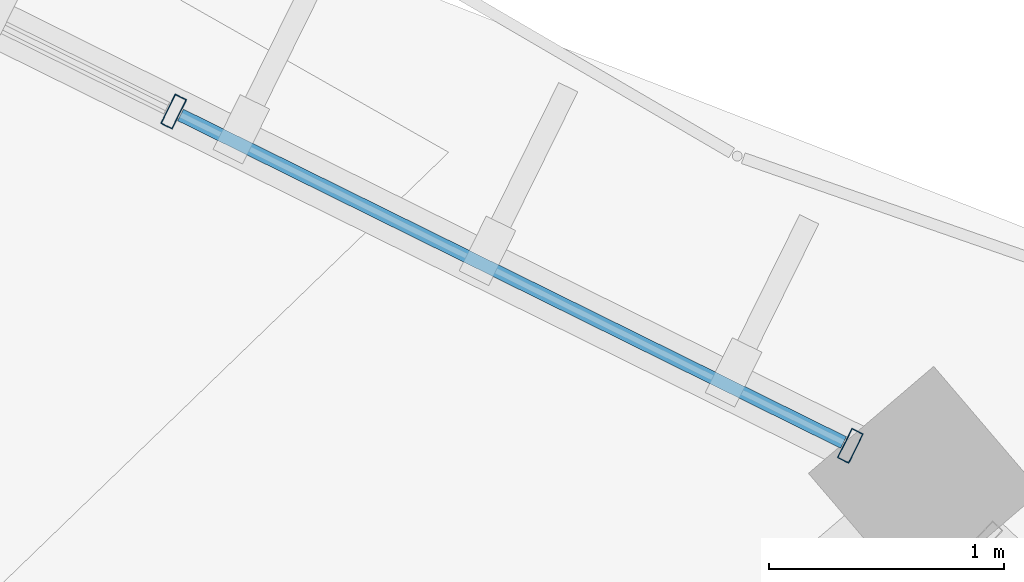
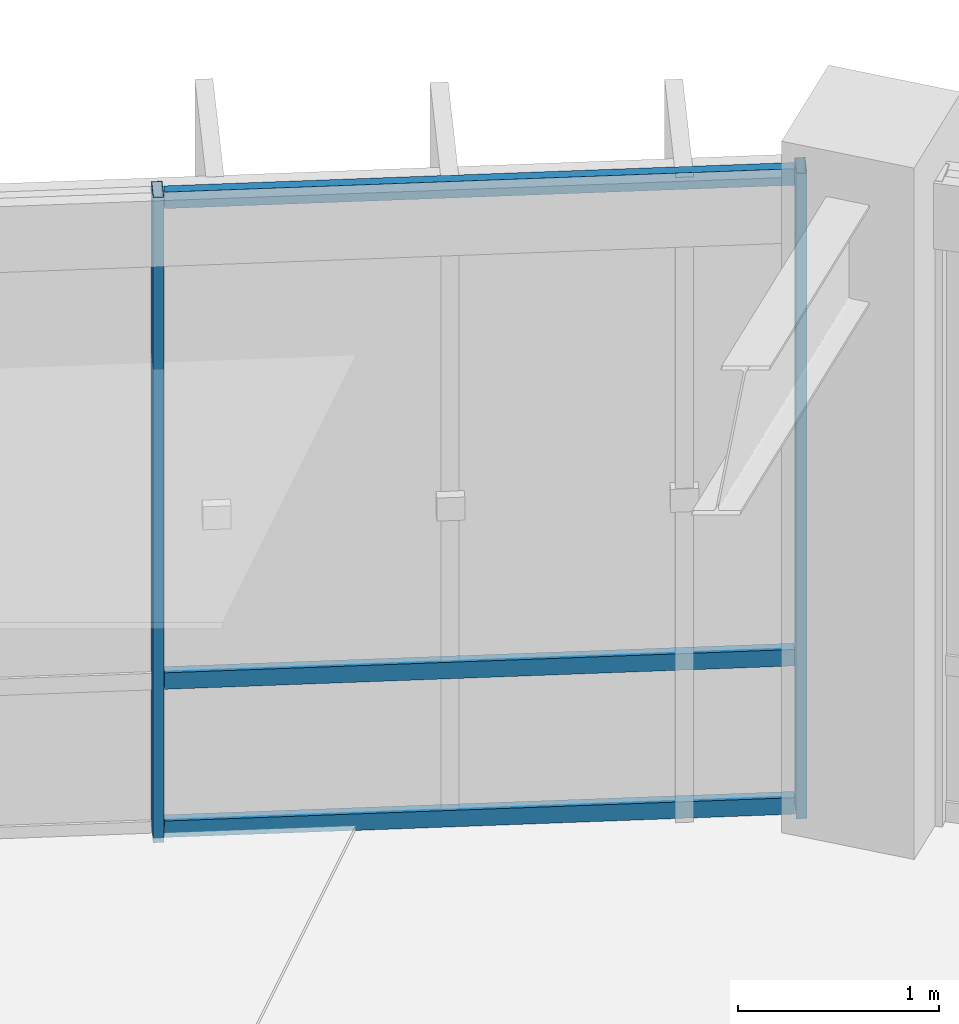
# One storey, part 71 of 138: 5 members, 1 element without a shape of its own.
"""IFC4 building model written with IfcOpenShell, lengths in metres."""

import ifcopenshell
import ifcopenshell.guid

model = None  # the IFC model being written
_history = None  # IfcOwnerHistory: only IFC2X3 demands one
_inside = {}  # id of a spatial element -> (the spatial element, [elements in it])
_under = {}  # id of a project, library or spatial element -> (it, [spatial elements below it])
_declared = {}  # id of a project -> (the project, [libraries it declares])
_typed = {}  # id of a type object -> (the type object, [elements of that type])
_made_of = {}  # id of a material, layer set ... -> (it, [elements and type objects made of it])


def new_model(schema):
    """Start an empty IFC model of exactly this schema.

    Asked for "IFC4X3", IfcOpenShell would pick the latest addendum, in which some entities
    have other attributes; the version numbers below select the first issue.
    IFC2X3 requires an IfcOwnerHistory on every rooted entity: one is made here for all.
    """
    global model, _history
    if schema == "IFC4X3":
        model = ifcopenshell.file(schema_version=(4, 3, 0, 0))
    else:
        model = ifcopenshell.file(schema=schema)
    _inside.clear()
    _under.clear()
    _declared.clear()
    _typed.clear()
    _made_of.clear()
    _history = None
    if model.schema == "IFC2X3":
        org = make("IfcOrganization", Name="unknown")
        user = make(
            "IfcPersonAndOrganization",
            ThePerson=make("IfcPerson", FamilyName="unknown"),
            TheOrganization=org,
        )
        app = make(
            "IfcApplication",
            ApplicationDeveloper=org,
            Version="unknown",
            ApplicationFullName="unknown",
            ApplicationIdentifier="unknown",
        )
        _history = make(
            "IfcOwnerHistory",
            OwningUser=user,
            OwningApplication=app,
            ChangeAction="ADDED",
            CreationDate=0,
        )
    return model


def make(cls, **values):
    """One entity of the class cls with the attributes given. An attribute that is None is left unset."""
    return model.create_entity(
        cls, **{name: value for name, value in values.items() if value is not None}
    )


def rooted(cls, **values):
    """An entity with a GlobalId (a new one), such as an element, a storey or a relation."""
    return make(cls, GlobalId=ifcopenshell.guid.new(), OwnerHistory=_history, **values)


def si_unit(unit_type, name, prefix=None):
    """IfcSIUnit, for example si_unit("LENGTHUNIT", "METRE", prefix="MILLI")."""
    return make("IfcSIUnit", UnitType=unit_type, Prefix=prefix, Name=name)


def assignment(units):
    """IfcUnitAssignment: the units of a project."""
    return None if units is None else make("IfcUnitAssignment", Units=units)


def point(xyz):
    """IfcCartesianPoint."""
    return None if xyz is None else make("IfcCartesianPoint", Coordinates=xyz)


def direction(xyz):
    """IfcDirection."""
    return None if xyz is None else make("IfcDirection", DirectionRatios=xyz)


def frame(location, z_axis=None, x_axis=None):
    """IfcAxis2Placement3D, a coordinate frame: its origin and axes. An axis left out is left unset."""
    return make(
        "IfcAxis2Placement3D",
        Location=point(location),
        Axis=direction(z_axis),
        RefDirection=direction(x_axis),
    )


def frame_2d(location, x_axis=None):
    """IfcAxis2Placement2D, a coordinate frame in the plane: its origin and x axis."""
    return make(
        "IfcAxis2Placement2D", Location=point(location), RefDirection=direction(x_axis)
    )


def origin():
    """The frame at (0, 0, 0) with its axes left unset."""
    return frame((0.0, 0.0, 0.0))


def origin_2d():
    """The frame at (0, 0) in the plane with its x axis left unset."""
    return frame_2d((0.0, 0.0))


def place(relative_to, where):
    """IfcLocalPlacement: puts the frame where relative to a parent placement (None: the world)."""
    return make(
        "IfcLocalPlacement", PlacementRelTo=relative_to, RelativePlacement=where
    )


def context(
    kind, dimensions, precision=None, world=None, true_north=None, identifier=None
):
    """IfcGeometricRepresentationContext, for example the 3D "Model" context."""
    return make(
        "IfcGeometricRepresentationContext",
        ContextIdentifier=identifier,
        ContextType=kind,
        CoordinateSpaceDimension=dimensions,
        Precision=precision,
        WorldCoordinateSystem=world,
        TrueNorth=true_north,
    )


def subcontext(parent, identifier, kind, view, scale=None):
    """IfcGeometricRepresentationSubContext, for example "Body" below "Model"."""
    return make(
        "IfcGeometricRepresentationSubContext",
        ContextIdentifier=identifier,
        ContextType=kind,
        ParentContext=parent,
        TargetScale=scale,
        TargetView=view,
    )


def project(units=None, contexts=None):
    """IfcProject with its units and contexts."""
    return rooted(
        "IfcProject",
        Name="project",
        RepresentationContexts=contexts,
        UnitsInContext=assignment(units),
    )


def spatial(cls, under=None, at=None, **own):
    """A site, building, storey or space (cls), placed at a placement, below another one or the project."""
    s = rooted(cls, ObjectPlacement=at, **own)
    if under is not None:
        _under.setdefault(under.id(), (under, []))[1].append(s)
    return s


def profile(cls, at=None, kind="AREA", **sizes):
    """A parametric profile (cls). Its sizes go by their IFC names, for example OverallWidth=200.0."""
    return make(cls, ProfileType=kind, Position=at, **sizes)


def hollow_rectangle(**sizes):
    """IfcRectangleHollowProfileDef."""
    return profile("IfcRectangleHollowProfileDef", **sizes)


def extrude(swept, where, along, depth):
    """IfcExtrudedAreaSolid: the profile swept, set in the frame where, extruded along a direction by depth."""
    return make(
        "IfcExtrudedAreaSolid",
        SweptArea=swept,
        Position=where,
        ExtrudedDirection=direction(along),
        Depth=depth,
    )


def shape(context_of_items, identifier, shape_type, items):
    """IfcShapeRepresentation: the items that make up one representation, for example the "Body"."""
    return make(
        "IfcShapeRepresentation",
        ContextOfItems=context_of_items,
        RepresentationIdentifier=identifier,
        RepresentationType=shape_type,
        Items=items,
    )


def material(Name=None, Category=None):
    """IfcMaterial."""
    return make("IfcMaterial", Name=Name, Category=Category)


def material_profile(
    of_material, cross_section, Name=None, Category=None, Priority=None
):
    """IfcMaterialProfile: a cross section and its material."""
    return make(
        "IfcMaterialProfile",
        Name=Name,
        Material=of_material,
        Profile=cross_section,
        Priority=Priority,
        Category=Category,
    )


def profile_set(profiles, Name=None, composite=None):
    """IfcMaterialProfileSet."""
    return make(
        "IfcMaterialProfileSet",
        Name=Name,
        MaterialProfiles=profiles,
        CompositeProfile=composite,
    )


def made_of(thing, what):
    """Note that an element or type object is made of a material, layer set ...; save() writes the relation."""
    if what is not None:
        _made_of.setdefault(what.id(), (what, []))[1].append(thing)
    return thing


def type_object(cls, material=None, **own):
    """A type object (cls), such as IfcWallType, which elements share."""
    return made_of(rooted(cls, **own), material)


def element(
    cls,
    number,
    at=None,
    inside=None,
    cuts=None,
    type_object=None,
    material=None,
    context=None,
    identifier="Body",
    shape_type=None,
    held_by="IfcProductDefinitionShape",
    body=None,
    shapes=None,
    **own,
):
    """One element of the class cls, such as IfcWall. Its Tag is "e" and its number.

    at: its placement. inside: the storey or other place that contains it. cuts: it is an
    opening in that element (IfcRelVoidsElement). A single representation is given by context,
    identifier, shape_type and body (its items); several are given by shapes. held_by: the class
    of the entity that holds the representations. save() writes the other relations.
    """
    e = rooted(cls, Tag="e%d" % number, ObjectPlacement=at, **own)
    if body is not None:
        shapes = [shape(context, identifier, shape_type, body)]
    if shapes is not None:
        e.Representation = make(held_by, Representations=shapes)
    if inside is not None:
        _inside.setdefault(inside.id(), (inside, []))[1].append(e)
    if cuts is not None:
        rooted(
            "IfcRelVoidsElement", RelatingBuildingElement=cuts, RelatedOpeningElement=e
        )
    if type_object is not None:
        _typed.setdefault(type_object.id(), (type_object, []))[1].append(e)
    return made_of(e, material)


def aggregate(whole, parts):
    """IfcRelAggregates: a whole, such as a stair, and the parts it consists of."""
    return rooted("IfcRelAggregates", RelatingObject=whole, RelatedObjects=parts)


def save(model, path):
    """Write the relations noted so far, then the file.

    IfcRelAggregates (storeys below a building ...), IfcRelContainedInSpatialStructure (elements
    in a storey), IfcRelDefinesByType, IfcRelAssociatesMaterial and IfcRelDeclares: one each for
    every whole, place, type object, material and project.
    """
    for whole, parts in _under.values():
        aggregate(whole, parts)
    for where, things in _inside.values():
        rooted(
            "IfcRelContainedInSpatialStructure",
            RelatedElements=things,
            RelatingStructure=where,
        )
    for kind, things in _typed.values():
        rooted("IfcRelDefinesByType", RelatedObjects=things, RelatingType=kind)
    for what, things in _made_of.values():
        rooted("IfcRelAssociatesMaterial", RelatedObjects=things, RelatingMaterial=what)
    for by, libraries in _declared.values():
        rooted("IfcRelDeclares", RelatingContext=by, RelatedDefinitions=libraries)
    model.write(path)


model = new_model("IFC4")

# Units and contexts
model_context = context("Model", 3, precision=1e-05, world=origin(), true_north=direction((0.0, 1.0)))
body_context = subcontext(model_context, "Body", "Model", "MODEL_VIEW")
ifc_project = project(units=[si_unit("LENGTHUNIT", "METRE"), si_unit("AREAUNIT", "SQUARE_METRE"), si_unit("VOLUMEUNIT", "CUBIC_METRE"), si_unit("PLANEANGLEUNIT", "RADIAN"), si_unit("MASSUNIT", "GRAM", prefix="KILO"), si_unit("THERMODYNAMICTEMPERATUREUNIT", "KELVIN"), si_unit("POWERUNIT", "WATT")], contexts=[model_context])

# Site, building, storey
site_placement = place(None, origin())
site = spatial("IfcSite", under=ifc_project, at=site_placement, CompositionType="ELEMENT")
building_placement = place(site_placement, origin())
building = spatial("IfcBuilding", under=site, at=building_placement, Name="Darbajah Civic Hall", CompositionType="ELEMENT")
storey_placement = place(building_placement, frame((0.0, 0.0, 9.60009765625)))
storey = spatial("IfcBuildingStorey", under=building, at=storey_placement, Name="L02", CompositionType="ELEMENT", Elevation=9.60009765625)

# Curtain wall, members
ifc_material_1 = material(Name="Anodised Bronze Aluminium and Low-E Glazing", Category="aluminium")
curtain_wall_type = type_object("IfcCurtainWallType", Name="Unitised Curtain Wall CW-20 12800x3900", PredefinedType="USERDEFINED", material=ifc_material_1)
curtain_wall_placement = place(storey_placement, origin())
curtain_wall = element("IfcCurtainWall", 1, at=curtain_wall_placement, inside=storey, type_object=curtain_wall_type, Name="L02 unitised curtain wall CW-V1O-L02-02", ObjectType="UNITISED CURTAIN WALL", PredefinedType="USERDEFINED")
ifc_material_2 = material(Name="Anodised Bronze Aluminium", Category="aluminium")
ifc_material_profile_1 = material_profile(ifc_material_2, hollow_rectangle(XDim=0.054931640625, YDim=0.139892578125, WallThickness=0.003173828125, at=origin_2d()), Name="ALU MULLION 55x140")
ifc_profile_set_1 = profile_set([ifc_material_profile_1], Name="Anodised Bronze Aluminium")
member_type_1 = type_object("IfcMemberType", Name="ALU MULLION 55x140", PredefinedType="MULLION", material=ifc_profile_set_1)
member_1_placement = place(storey_placement, frame((127.565185546875, 109.114501953125, 0.0), z_axis=(0.0, 0.0, 1.0), x_axis=(-0.89656374724, 0.442914717678, 0.0)))
member_1 = element("IfcMember", 2, at=member_1_placement, type_object=member_type_1, Name="CW-V1O-L02-02 mullion 1", PredefinedType="MULLION", context=body_context, shape_type="SweptSolid", body=[
    extrude(hollow_rectangle(XDim=0.054931640625, YDim=0.139892578125, WallThickness=0.003173828125, at=origin_2d()), origin(), (0.0, 0.0, 1.0), 3.919921875),
])
member_2_placement = place(storey_placement, frame((124.689697265625, 110.53515625, 0.0), z_axis=(0.0, 0.0, 1.0), x_axis=(-0.89656374724, 0.442914717678, 0.0)))
member_2 = element("IfcMember", 3, at=member_2_placement, type_object=member_type_1, Name="CW-V1O-L02-02 mullion 2", PredefinedType="MULLION", context=body_context, shape_type="SweptSolid", body=[
    extrude(hollow_rectangle(XDim=0.054931640625, YDim=0.139892578125, WallThickness=0.003173828125, at=origin_2d()), origin(), (0.0, 0.0, 1.0), 3.919921875),
])
ifc_material_profile_2 = material_profile(ifc_material_2, hollow_rectangle(XDim=0.054931640625, YDim=0.10009765625, WallThickness=0.0029296875, at=origin_2d()), Name="ALU TRANSOM 55x100")
ifc_profile_set_2 = profile_set([ifc_material_profile_2], Name="Anodised Bronze Aluminium")
member_type_2 = type_object("IfcMemberType", Name="ALU TRANSOM 55x100", PredefinedType="USERDEFINED", material=ifc_profile_set_2)
member_3_placement = place(storey_placement, frame((127.535888671875, 109.12890625, 0.0498046875), z_axis=(-0.896545955062, 0.442950731416, 0.0), x_axis=(-0.442950731416, -0.896545955062, 0.0)))
member_3 = element("IfcMember", 4, at=member_3_placement, type_object=member_type_2, Name="CW-V1O-L02-02 transom 1.1", ObjectType="TRANSOM", PredefinedType="USERDEFINED", context=body_context, shape_type="SweptSolid", body=[
    extrude(hollow_rectangle(XDim=0.054931640625, YDim=0.10009765625, WallThickness=0.0029296875, at=origin_2d()), origin(), (0.0, 0.0, 1.0), 3.142333984375),
])
member_4_placement = place(storey_placement, frame((127.535888671875, 109.12890625, 0.949951171875), z_axis=(-0.896545955062, 0.442950731416, 0.0), x_axis=(-0.442950731416, -0.896545955062, 0.0)))
member_4 = element("IfcMember", 5, at=member_4_placement, type_object=member_type_2, Name="CW-V1O-L02-02 transom 1.2", ObjectType="TRANSOM", PredefinedType="USERDEFINED", context=body_context, shape_type="SweptSolid", body=[
    extrude(hollow_rectangle(XDim=0.054931640625, YDim=0.10009765625, WallThickness=0.0029296875, at=origin_2d()), origin(), (0.0, 0.0, 1.0), 3.142333984375),
])
member_5_placement = place(storey_placement, frame((127.535888671875, 109.12890625, 3.869873046875), z_axis=(-0.896545955062, 0.442950731416, 0.0), x_axis=(-0.442950731416, -0.896545955062, 0.0)))
member_5 = element("IfcMember", 6, at=member_5_placement, type_object=member_type_2, Name="CW-V1O-L02-02 transom 1.3", ObjectType="TRANSOM", PredefinedType="USERDEFINED", context=body_context, shape_type="SweptSolid", body=[
    extrude(hollow_rectangle(XDim=0.054931640625, YDim=0.10009765625, WallThickness=0.0029296875, at=origin_2d()), origin(), (0.0, 0.0, 1.0), 3.142333984375),
])
aggregate(curtain_wall, [member_1, member_2, member_3, member_4, member_5])

save(model, "model.ifc")
